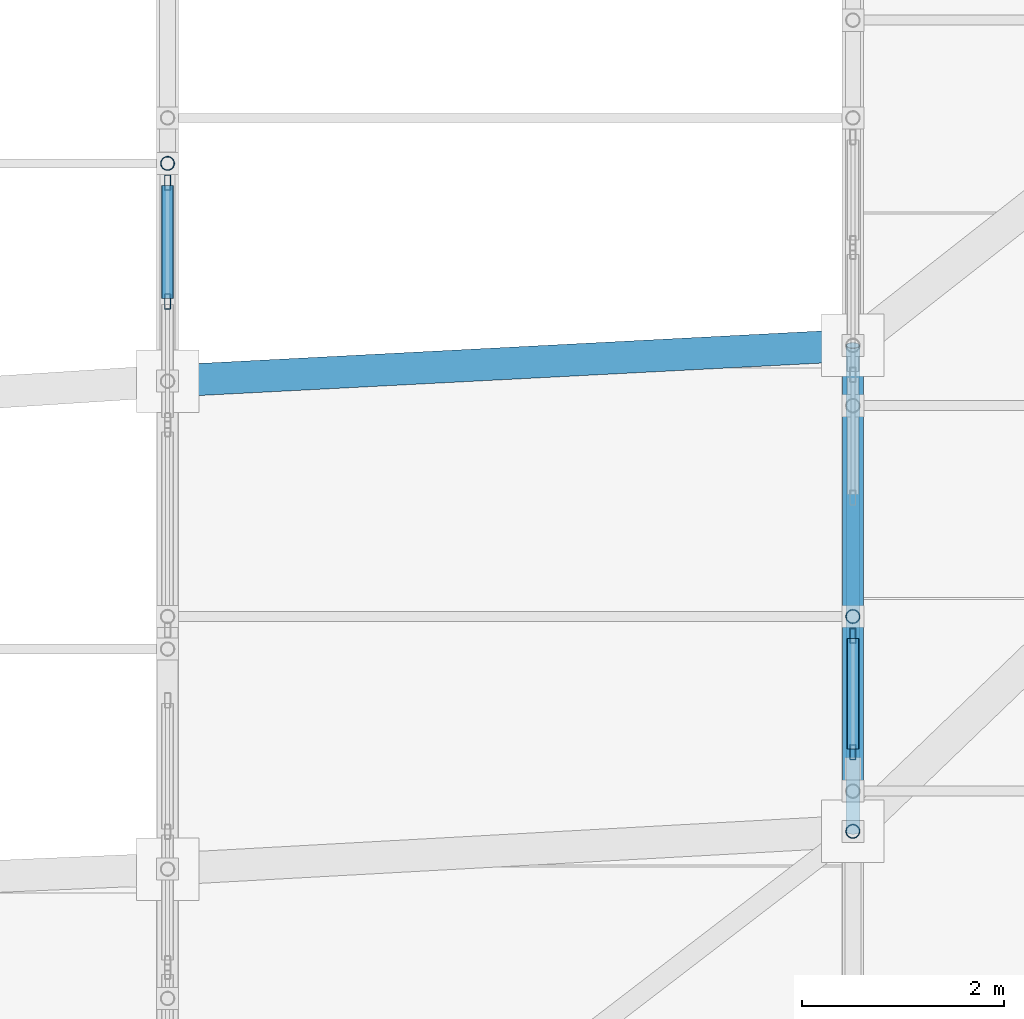
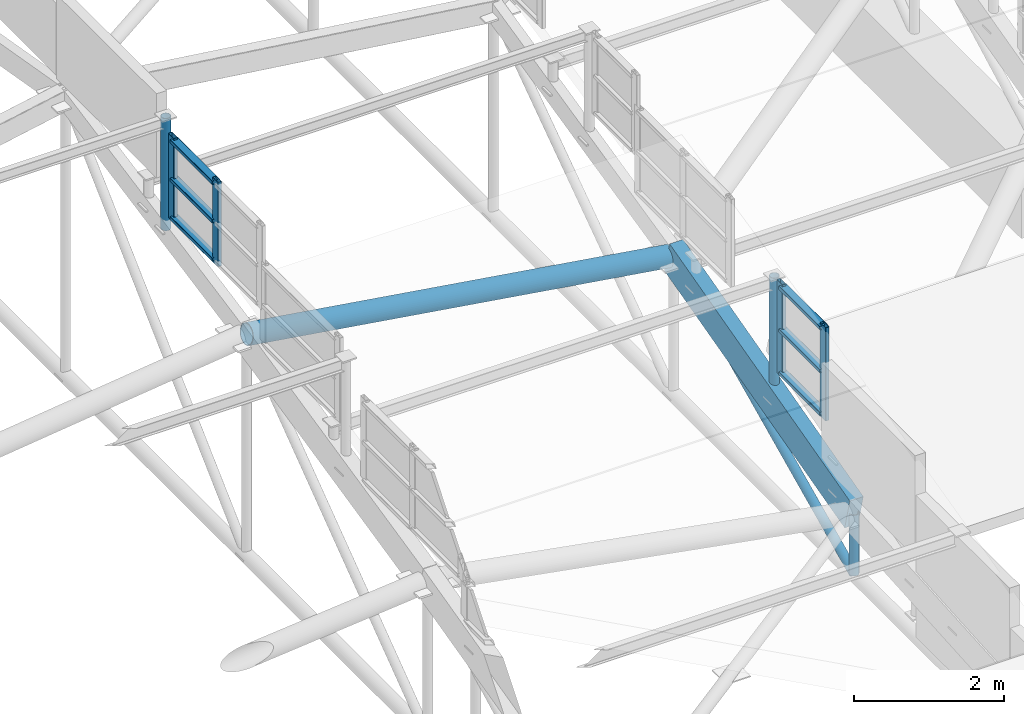
# One storey, part 77 of 188: 16 members, 2 elements without a shape of their own.
"""IFC4 building model written with IfcOpenShell, lengths in metres."""

from ifc_helpers import new_model, si_unit, direction, frame, origin, origin_2d, place, context, subcontext, project, spatial, rectangle, hollow_rectangle, hollow_circle, extrude, material, layer, layer_set, material_profile, profile_set, type_object, element, aggregate, save


model = new_model("IFC4")

# Units and contexts
model_context = context("Model", 3, precision=1e-05, world=origin(), true_north=direction((0.0, 1.0)))
body_context = subcontext(model_context, "Body", "Model", "MODEL_VIEW")
ifc_project = project(units=[si_unit("LENGTHUNIT", "METRE"), si_unit("AREAUNIT", "SQUARE_METRE"), si_unit("VOLUMEUNIT", "CUBIC_METRE"), si_unit("PLANEANGLEUNIT", "RADIAN"), si_unit("MASSUNIT", "GRAM", prefix="KILO")], contexts=[model_context])

# Site, building, storey
site_placement = place(None, origin())
site = spatial("IfcSite", under=ifc_project, at=site_placement, CompositionType="ELEMENT")
building_placement = place(site_placement, origin())
building = spatial("IfcBuilding", under=site, at=building_placement, Name="Kisaragi Civic Commons", CompositionType="ELEMENT")
storey_placement = place(building_placement, frame((0.0, 0.0, 9.60009765625)))
storey = spatial("IfcBuildingStorey", under=building, at=storey_placement, Name="L02", CompositionType="ELEMENT", Elevation=9.60009765625)

# Curtain wall, members
ifc_material_1 = material(Name="Thermally broken anodized aluminium and low-E double glazing", Category="aluminium")
ifc_layer = layer(ifc_material_1, 0.14990234375, Name="Thermally broken anodized aluminium and low-E double glazing", Category="aluminium")
ifc_layer_set = layer_set([ifc_layer], Name="Thermally broken anodized aluminium and low-E double glazing")
curtain_wall_type = type_object("IfcCurtainWallType", Name="CW-03", PredefinedType="NOTDEFINED", material=ifc_layer_set)
curtain_wall_1_placement = place(storey_placement, origin())
curtain_wall_1 = element("IfcCurtainWall", 1, at=curtain_wall_1_placement, inside=storey, type_object=curtain_wall_type, Name="L02 curtain wall CW-03 CW-CL-V2-197", PredefinedType="NOTDEFINED")
ifc_material_profile_1 = material_profile(ifc_material_1, hollow_rectangle(XDim=0.06005859375, YDim=0.14990234375, WallThickness=0.00390625, InnerFilletRadius=0.00390625, OuterFilletRadius=0.008056640625, at=origin_2d()), Name="CWM-60x150x4", Category="aluminium")
ifc_profile_set_1 = profile_set([ifc_material_profile_1], Name="Thermally broken anodized aluminium and low-E double glazing")
member_type_1 = type_object("IfcMemberType", Name="CWM-01", PredefinedType="MULLION", material=ifc_profile_set_1)
member_1_placement = place(storey_placement, frame((20.39990234375, 94.51513671875, 3.8955078125), z_axis=(0.0, 0.0, 1.0), x_axis=(-1.0, 0.0, 0.0)))
member_1 = element("IfcMember", 2, at=member_1_placement, type_object=member_type_1, Name="CW-03 mullion 2", PredefinedType="MULLION", context=body_context, shape_type="SweptSolid", body=[
    extrude(hollow_rectangle(XDim=0.06005859375, YDim=0.14990234375, WallThickness=0.00390625, InnerFilletRadius=0.00390625, OuterFilletRadius=0.008056640625, at=origin_2d()), origin(), (0.0, 0.0, 1.0), 1.37451171875),
])
member_2_placement = place(storey_placement, frame((20.39990234375, 95.69580078125, 3.8955078125), z_axis=(0.0, 0.0, 1.0), x_axis=(-1.0, 0.0, 0.0)))
member_2 = element("IfcMember", 3, at=member_2_placement, type_object=member_type_1, Name="CW-03 mullion 3", PredefinedType="MULLION", context=body_context, shape_type="SweptSolid", body=[
    extrude(hollow_rectangle(XDim=0.06005859375, YDim=0.14990234375, WallThickness=0.00390625, InnerFilletRadius=0.00390625, OuterFilletRadius=0.008056640625, at=origin_2d()), origin(), (0.0, 0.0, 1.0), 1.37451171875),
])

curtain_wall_2_placement = place(storey_placement, origin())
curtain_wall_2 = element("IfcCurtainWall", 4, at=curtain_wall_2_placement, inside=storey, type_object=curtain_wall_type, Name="L02 curtain wall CW-03 CW-CL-V2-203", PredefinedType="NOTDEFINED")
member_3_placement = place(storey_placement, frame((27.199951171875, 90.043701171875, 1.70751953125), z_axis=(0.0, 0.0, 1.0), x_axis=(-1.0, 0.0, 0.0)))
member_3 = element("IfcMember", 5, at=member_3_placement, type_object=member_type_1, Name="CW-03 mullion 1", PredefinedType="MULLION", context=body_context, shape_type="SweptSolid", body=[
    extrude(hollow_rectangle(XDim=0.06005859375, YDim=0.14990234375, WallThickness=0.00390625, InnerFilletRadius=0.00390625, OuterFilletRadius=0.008056640625, at=origin_2d()), origin(), (0.0, 0.0, 1.0), 1.52099609375),
])
member_4_placement = place(storey_placement, frame((27.199951171875, 91.19970703125, 1.70751953125), z_axis=(0.0, 0.0, 1.0), x_axis=(-1.0, 0.0, 0.0)))
member_4 = element("IfcMember", 6, at=member_4_placement, type_object=member_type_1, Name="CW-03 mullion 2", PredefinedType="MULLION", context=body_context, shape_type="SweptSolid", body=[
    extrude(hollow_rectangle(XDim=0.06005859375, YDim=0.14990234375, WallThickness=0.00390625, InnerFilletRadius=0.00390625, OuterFilletRadius=0.008056640625, at=origin_2d()), origin(), (0.0, 0.0, 1.0), 1.52099609375),
])

# Member
ifc_material_profile_2 = material_profile(ifc_material_1, hollow_rectangle(XDim=0.1201171875, YDim=0.06005859375, WallThickness=0.00390625, InnerFilletRadius=0.00390625, OuterFilletRadius=0.008056640625, at=origin_2d()), Name="CWT-60x120x4", Category="aluminium")
ifc_profile_set_2 = profile_set([ifc_material_profile_2], Name="Thermally broken anodized aluminium and low-E double glazing")
member_type_2 = type_object("IfcMemberType", Name="CWT-01", PredefinedType="USERDEFINED", material=ifc_profile_set_2)
member_5_placement = place(storey_placement, frame((20.39990234375, 94.545166015625, 3.955322265625), z_axis=(0.0, 1.0, 0.0), x_axis=(-1.0, 0.0, 0.0)))
member_5 = element("IfcMember", 7, at=member_5_placement, type_object=member_type_2, Name="CW-03 transom 2.1", ObjectType="TRANSOM", PredefinedType="USERDEFINED", context=body_context, shape_type="SweptSolid", body=[
    extrude(hollow_rectangle(XDim=0.1201171875, YDim=0.06005859375, WallThickness=0.00390625, InnerFilletRadius=0.00390625, OuterFilletRadius=0.008056640625, at=origin_2d()), origin(), (0.0, 0.0, 1.0), 1.12060546875),
])

member_6_placement = place(storey_placement, frame((20.39990234375, 94.545166015625, 4.582763671875), z_axis=(0.0, 1.0, 0.0), x_axis=(-1.0, 0.0, 0.0)))
member_6 = element("IfcMember", 8, at=member_6_placement, type_object=member_type_2, Name="CW-03 transom 2.2", ObjectType="TRANSOM", PredefinedType="USERDEFINED", context=body_context, shape_type="SweptSolid", body=[
    extrude(hollow_rectangle(XDim=0.1201171875, YDim=0.06005859375, WallThickness=0.00390625, InnerFilletRadius=0.00390625, OuterFilletRadius=0.008056640625, at=origin_2d()), origin(), (0.0, 0.0, 1.0), 1.12060546875),
])

member_7_placement = place(storey_placement, frame((20.39990234375, 94.545166015625, 5.210205078125), z_axis=(0.0, 1.0, 0.0), x_axis=(-1.0, 0.0, 0.0)))
member_7 = element("IfcMember", 9, at=member_7_placement, type_object=member_type_2, Name="CW-03 transom 2.3", ObjectType="TRANSOM", PredefinedType="USERDEFINED", context=body_context, shape_type="SweptSolid", body=[
    extrude(hollow_rectangle(XDim=0.1201171875, YDim=0.06005859375, WallThickness=0.00390625, InnerFilletRadius=0.00390625, OuterFilletRadius=0.008056640625, at=origin_2d()), origin(), (0.0, 0.0, 1.0), 1.12060546875),
])

aggregate(curtain_wall_1, [member_1, member_2, member_5, member_6, member_7])

member_8_placement = place(storey_placement, frame((27.199951171875, 90.073486328125, 1.767333984375), z_axis=(0.0, 1.0, 0.0), x_axis=(-1.0, 0.0, 0.0)))
member_8 = element("IfcMember", 10, at=member_8_placement, type_object=member_type_2, Name="CW-03 transom 1.1", ObjectType="TRANSOM", PredefinedType="USERDEFINED", context=body_context, shape_type="SweptSolid", body=[
    extrude(hollow_rectangle(XDim=0.1201171875, YDim=0.06005859375, WallThickness=0.00390625, InnerFilletRadius=0.00390625, OuterFilletRadius=0.008056640625, at=origin_2d()), origin(), (0.0, 0.0, 1.0), 1.09619140625),
])

member_9_placement = place(storey_placement, frame((27.199951171875, 90.073486328125, 2.468017578125), z_axis=(0.0, 1.0, 0.0), x_axis=(-1.0, 0.0, 0.0)))
member_9 = element("IfcMember", 11, at=member_9_placement, type_object=member_type_2, Name="CW-03 transom 1.2", ObjectType="TRANSOM", PredefinedType="USERDEFINED", context=body_context, shape_type="SweptSolid", body=[
    extrude(hollow_rectangle(XDim=0.1201171875, YDim=0.06005859375, WallThickness=0.00390625, InnerFilletRadius=0.00390625, OuterFilletRadius=0.008056640625, at=origin_2d()), origin(), (0.0, 0.0, 1.0), 1.09619140625),
])

member_10_placement = place(storey_placement, frame((27.199951171875, 90.073486328125, 3.16845703125), z_axis=(0.0, 1.0, 0.0), x_axis=(-1.0, 0.0, 0.0)))
member_10 = element("IfcMember", 12, at=member_10_placement, type_object=member_type_2, Name="CW-03 transom 1.3", ObjectType="TRANSOM", PredefinedType="USERDEFINED", context=body_context, shape_type="SweptSolid", body=[
    extrude(hollow_rectangle(XDim=0.1201171875, YDim=0.06005859375, WallThickness=0.00390625, InnerFilletRadius=0.00390625, OuterFilletRadius=0.008056640625, at=origin_2d()), origin(), (0.0, 0.0, 1.0), 1.09619140625),
])

aggregate(curtain_wall_2, [member_3, member_4, member_8, member_9, member_10])

# Members
ifc_material_2 = material(Name="Steel SN490 (SN490B)", Category="steel")
ifc_material_profile_3 = material_profile(ifc_material_2, hollow_circle(Radius=0.1591796875, WallThickness=0.01025390625, at=origin_2d()), Name="CHS-318.5x10.3", Category="steel")
ifc_profile_set_3 = profile_set([ifc_material_profile_3], Name="Steel SN490 (SN490B)")
member_type_3 = type_object("IfcMemberType", Name="GC-03", PredefinedType="CHORD", material=ifc_profile_set_3)
member_11_placement = place(storey_placement, frame((20.39990234375, 93.725341796875, 3.220703125), z_axis=(0.980809019666, 0.051130387985, -0.18814715083), x_axis=(-0.052060137785, 0.998643951593, 0.0)))
element("IfcMember", 13, at=member_11_placement, inside=storey, type_object=member_type_3, Name="V2 wave gridshell chord GC-03 24", PredefinedType="CHORD", context=body_context, shape_type="SweptSolid", body=[
    extrude(hollow_circle(Radius=0.1591796875, WallThickness=0.01025390625, at=origin_2d()), origin(), (0.0, 0.0, 1.0), 6.93310546875),
])
ifc_material_3 = material(Name="Glulam E120-F330", Category="wood")
ifc_material_profile_4 = material_profile(ifc_material_3, rectangle(XDim=0.2099609375, YDim=0.5400390625, at=origin_2d()), Name="GL-210x540", Category="wood")
ifc_profile_set_4 = profile_set([ifc_material_profile_4], Name="Glulam E120-F330")
member_type_4 = type_object("IfcMemberType", Name="GR-04", PredefinedType="RAFTER", material=ifc_profile_set_4)
member_12_placement = place(storey_placement, frame((27.199951171875, 89.258056640625, 0.640869140625), z_axis=(0.0, 0.96675293386, 0.255712269695), x_axis=(-1.0, 0.0, 0.0)))
element("IfcMember", 14, at=member_12_placement, inside=storey, type_object=member_type_4, Name="V2 glulam arch rib GR-04 35", PredefinedType="RAFTER", context=body_context, shape_type="SweptSolid", body=[
    extrude(rectangle(XDim=0.2099609375, YDim=0.5400390625, at=origin_2d()), origin(), (0.0, 0.0, 1.0), 4.987548828125),
])
ifc_material_profile_5 = material_profile(ifc_material_2, hollow_circle(Radius=0.06982421875, WallThickness=0.006103515625, at=origin_2d()), Name="CHS-139.8x6.0", Category="steel")
ifc_profile_set_5 = profile_set([ifc_material_profile_5], Name="Steel SN490 (SN490B)")
member_type_5 = type_object("IfcMemberType", Name="ST-H1", PredefinedType="STRUT", material=ifc_profile_set_5)
member_13_placement = place(storey_placement, frame((27.199951171875, 89.258056640625, -0.353271484375), z_axis=(0.0, 0.0, 1.0), x_axis=(1.0, 0.0, 0.0)))
element("IfcMember", 15, at=member_13_placement, inside=storey, type_object=member_type_5, Name="V2 arch tie hanger strut 60", PredefinedType="STRUT", context=body_context, shape_type="SweptSolid", body=[
    extrude(hollow_circle(Radius=0.06982421875, WallThickness=0.006103515625, at=origin_2d()), origin(), (0.0, 0.0, 1.0), 0.994140625),
])
member_14_placement = place(storey_placement, frame((27.199951171875, 89.258056640625, -0.353271484375), z_axis=(0.0, 0.904785476069, 0.425867634711), x_axis=(-1.0, 0.0, 0.0)))
element("IfcMember", 16, at=member_14_placement, inside=storey, type_object=member_type_5, Name="V2 tied arch truss diagonal web strut 67", PredefinedType="STRUT", context=body_context, shape_type="SweptSolid", body=[
    extrude(hollow_circle(Radius=0.06982421875, WallThickness=0.006103515625, at=origin_2d()), origin(), (0.0, 0.0, 1.0), 5.3291015625),
])
member_15_placement = place(storey_placement, frame((20.39990234375, 95.8857421875, 3.64599609375), z_axis=(0.0, 0.0, 1.0), x_axis=(1.0, 0.0, 0.0)))
element("IfcMember", 17, at=member_15_placement, inside=storey, type_object=member_type_5, Name="V2 clerestory monitor horizontal tie strut 3.3.4", PredefinedType="STRUT", context=body_context, shape_type="SweptSolid", body=[
    extrude(hollow_circle(Radius=0.06982421875, WallThickness=0.006103515625, at=origin_2d()), origin(), (0.0, 0.0, 1.0), 1.830322265625),
])
member_16_placement = place(storey_placement, frame((27.199951171875, 91.3896484375, 1.20458984375), z_axis=(0.0, 0.0, 1.0), x_axis=(1.0, 0.0, 0.0)))
element("IfcMember", 18, at=member_16_placement, inside=storey, type_object=member_type_5, Name="V2 clerestory monitor horizontal tie strut 4.4.3", PredefinedType="STRUT", context=body_context, shape_type="SweptSolid", body=[
    extrude(hollow_circle(Radius=0.06982421875, WallThickness=0.006103515625, at=origin_2d()), origin(), (0.0, 0.0, 1.0), 2.01171875),
])

save(model, "model.ifc")
